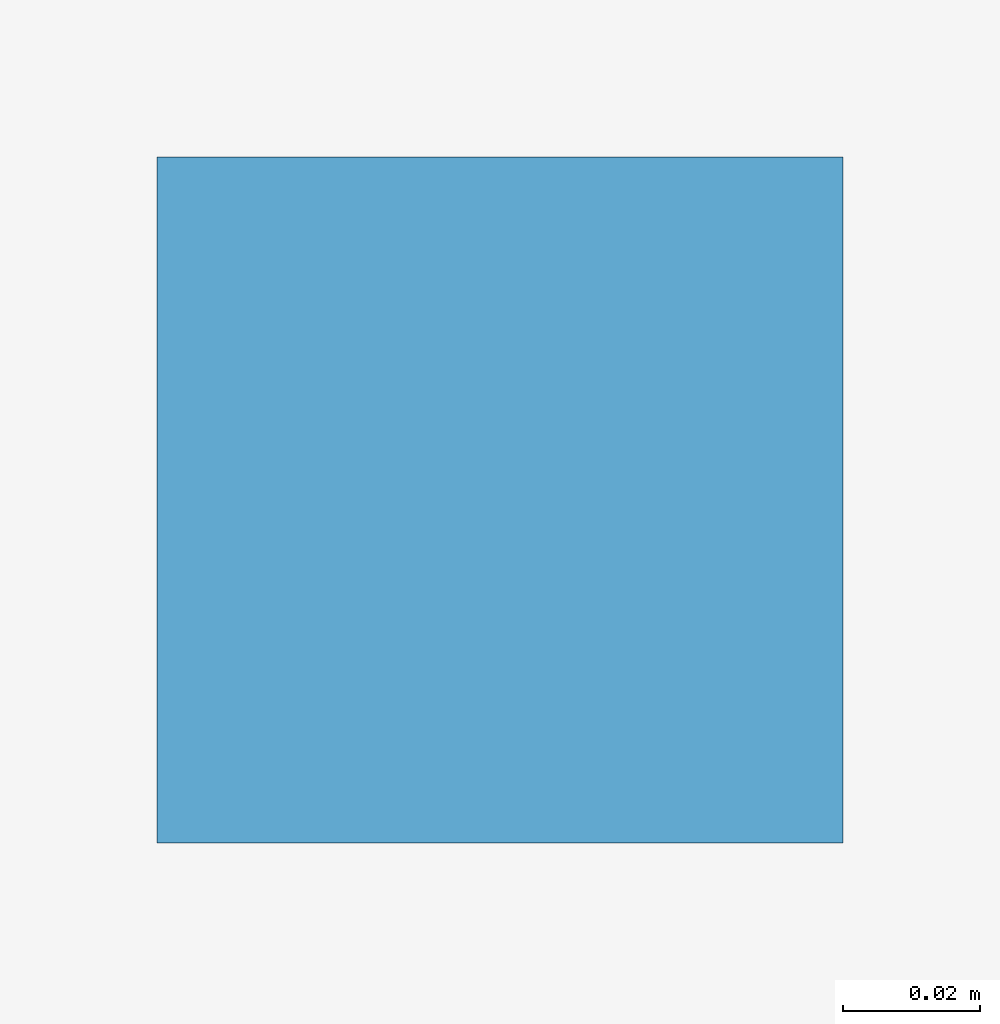
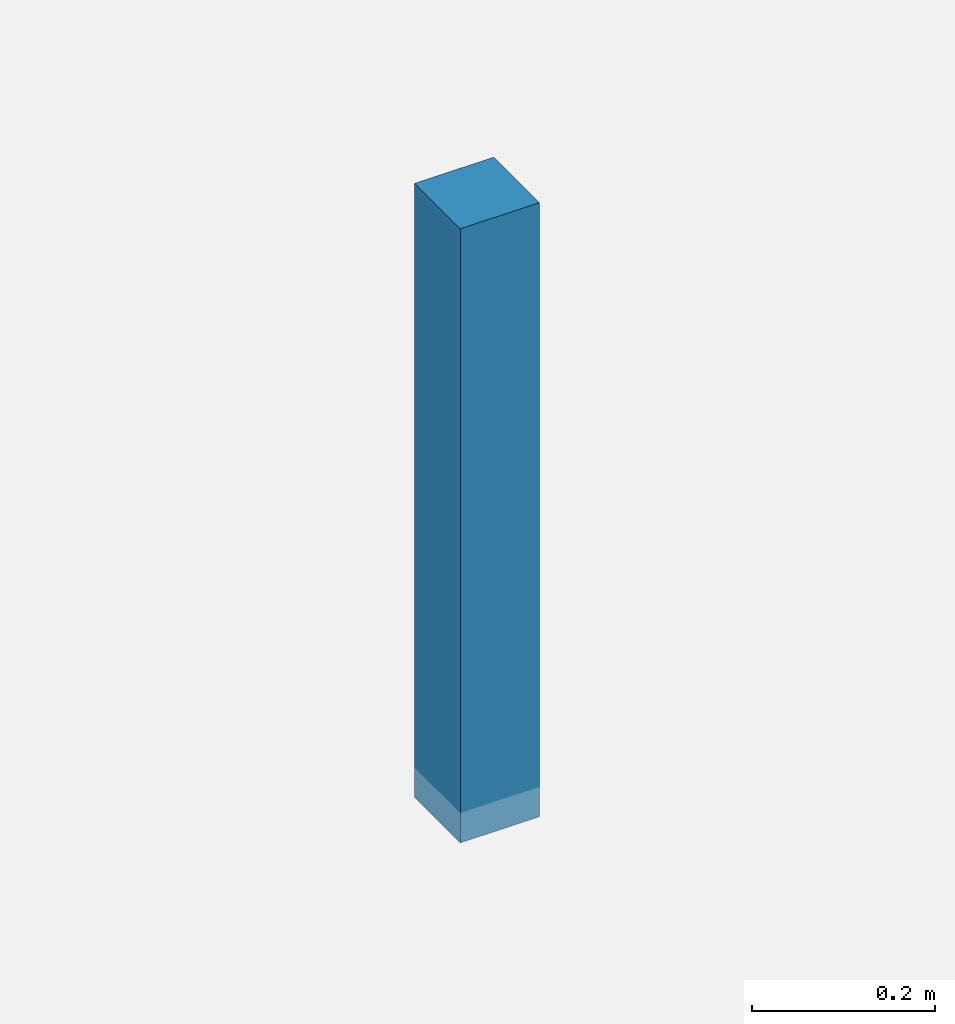
# One storey, part 43 of 52: 1 discrete accessory.
"""IFC4 building model written with IfcOpenShell, lengths in metres."""

from ifc_helpers import new_model, si_unit, direction, frame, origin, origin_2d, place, context, subcontext, project, spatial, rectangle, extrude, material, type_object, element, save


model = new_model("IFC4")

# Units and contexts
model_context = context("Model", 3, precision=1e-05, world=origin(), true_north=direction((0.0, 1.0)))
body_context = subcontext(model_context, "Body", "Model", "MODEL_VIEW")
ifc_project = project(units=[si_unit("LENGTHUNIT", "METRE"), si_unit("AREAUNIT", "SQUARE_METRE"), si_unit("VOLUMEUNIT", "CUBIC_METRE"), si_unit("PLANEANGLEUNIT", "RADIAN"), si_unit("MASSUNIT", "GRAM", prefix="KILO"), si_unit("THERMODYNAMICTEMPERATUREUNIT", "KELVIN"), si_unit("POWERUNIT", "WATT")], contexts=[model_context])

# Site, building, storey
site_placement = place(None, origin())
site = spatial("IfcSite", under=ifc_project, at=site_placement, CompositionType="ELEMENT")
building_placement = place(site_placement, origin())
building = spatial("IfcBuilding", under=site, at=building_placement, Name="Solmara Park Aquatics Centre", CompositionType="ELEMENT")
storey_placement = place(building_placement, frame((0.0, 0.0, 9.60009765625)))
storey = spatial("IfcBuildingStorey", under=building, at=storey_placement, Name="L02", CompositionType="ELEMENT", Elevation=9.60009765625)

# Discrete accessory
ifc_material = material(Name="Galvanised Steel Ceiling Suspension Bracket", Category="steel")
discrete_accessory_type = type_object("IfcDiscreteAccessoryType", Name="ARC-ACC-HNG", PredefinedType="BRACKET", material=ifc_material)
discrete_accessory_placement = place(storey_placement, frame((38.375, 128.35009765625, 3.6796875), z_axis=(0.0, 0.0, 1.0), x_axis=(1.0, 0.0, 0.0)))
element("IfcDiscreteAccessory", 1, at=discrete_accessory_placement, inside=storey, type_object=discrete_accessory_type, Name="Ceiling Hanger Bracket L02-PHY-01", PredefinedType="BRACKET", context=body_context, shape_type="SweptSolid", body=[
    extrude(rectangle(XDim=0.10009765625, YDim=0.10009765625, at=origin_2d()), origin(), (0.0, 0.0, 1.0), 0.820068359375),
])

save(model, "model.ifc")
